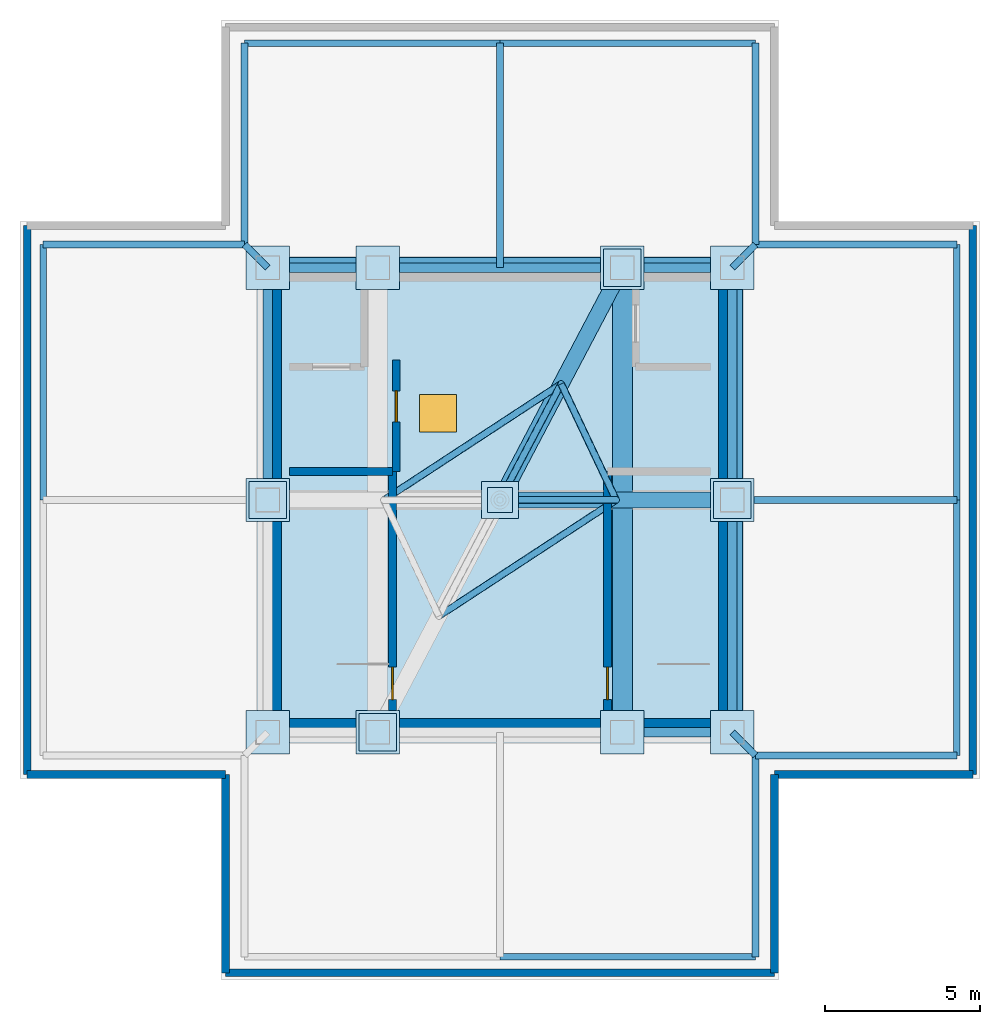
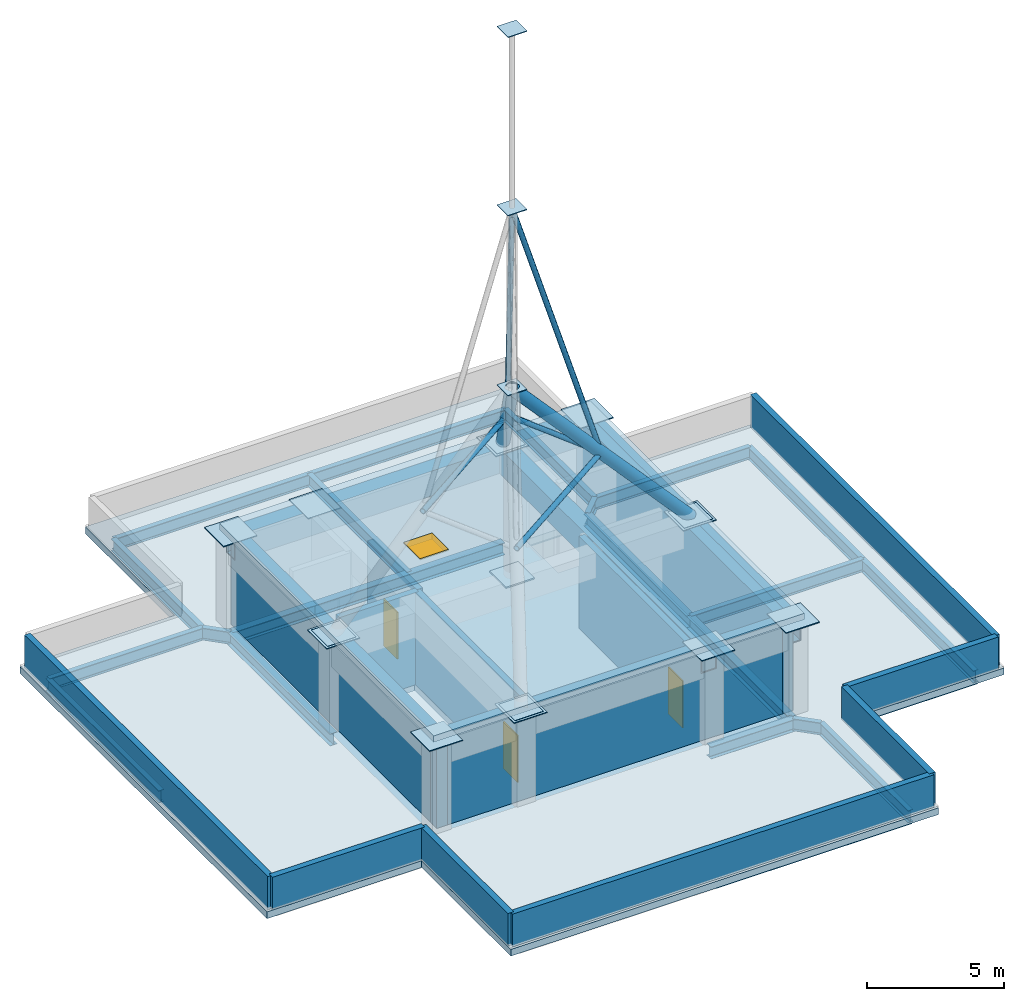
# One storey, part 3 of 5: 27 beams, 18 plates, 14 walls, 7 members, 3 doors, 2 slabs, 1 window, 4 openings.
"""IFC4 building model written with IfcOpenShell, lengths in metres."""

from ifc_helpers import new_model, si_unit, direction, frame, frame_2d, origin, origin_2d, place, context, subcontext, project, spatial, polyline, rectangle, hollow_rectangle, hollow_circle, i_section, outline, extrude, material, layer, layer_set, material_profile, profile_set, type_object, element, fill, save


model = new_model("IFC4")

# Units and contexts
model_context = context("Model", 3, precision=1e-05, world=origin(), true_north=direction((0.0, 1.0)))
body_context = subcontext(model_context, "Body", "Model", "MODEL_VIEW")
ifc_project = project(units=[si_unit("LENGTHUNIT", "METRE"), si_unit("AREAUNIT", "SQUARE_METRE"), si_unit("VOLUMEUNIT", "CUBIC_METRE"), si_unit("PLANEANGLEUNIT", "RADIAN"), si_unit("MASSUNIT", "GRAM", prefix="KILO")], contexts=[model_context])

# Site, building, storey
site_placement = place(None, origin())
site = spatial("IfcSite", under=ifc_project, at=site_placement, CompositionType="ELEMENT")
building_placement = place(site_placement, origin())
building = spatial("IfcBuilding", under=site, at=building_placement, Name="Trevonay Congress Spire", CompositionType="ELEMENT")
storey_placement = place(building_placement, frame((0.0, 0.0, 323.60009765625)))
storey = spatial("IfcBuildingStorey", under=building, at=storey_placement, Name="RF", CompositionType="ELEMENT", Elevation=323.60009765625)

# Beams
ifc_material_1 = material(Name="Steel ASTM A572 Grade 50", Category="steel")
ifc_material_profile_1 = material_profile(ifc_material_1, i_section(OverallWidth=0.2119140625, OverallDepth=0.5439453125, WebThickness=0.01318359375, FlangeThickness=0.021240234375, FilletRadius=0.014892578125, at=origin_2d()), Name="W530x123")
ifc_profile_set_1 = profile_set([ifc_material_profile_1], Name="Steel ASTM A572 Grade 50")
beam_type_1 = type_object("IfcBeamType", Name="BM-GIRD-W530X123", PredefinedType="BEAM", material=ifc_profile_set_1)
for number, where, z_axis, x_axis, name in (
    (1, (7.5, -7.5, -0.572021484375), (0.707106781187, -0.707106781187, 0.0), (0.707106781187, 0.707106781187, 0.0), "RF structural beam BM-RF-DSE"),
    (2, (7.5, 7.5, -0.572021484375), (0.707106781187, 0.707106781187, 0.0), (-0.707106781187, 0.707106781187, 0.0), "RF structural beam BM-RF-DNE"),
    (3, (-7.5, 7.5, -0.572021484375), (-0.707106781187, 0.707106781187, 0.0), (-0.707106781187, -0.707106781187, 0.0), "RF structural beam BM-RF-DNW"),
):
    element("IfcBeam", number, at=place(storey_placement, frame(where, z_axis=z_axis, x_axis=x_axis)), inside=storey, type_object=beam_type_1, Name=name, PredefinedType="BEAM", context=body_context, shape_type="SweptSolid", body=[
        extrude(i_section(OverallWidth=0.2119140625, OverallDepth=0.5439453125, WebThickness=0.01318359375, FlangeThickness=0.021240234375, FilletRadius=0.014892578125, at=origin_2d()), origin(), (0.0, 0.0, 1.0), 1.060546875),
    ])
for number, where, z_axis, x_axis, name in (
    (4, (0.0, 7.5, -0.572021484375), (0.0, 1.0, 0.0), (-1.0, 0.0, 0.0), "RF structural beam BM-RF-RC-N"),
    (5, (7.5, 0.0, -0.572021484375), (1.0, 0.0, 0.0), (0.0, 1.0, 0.0), "RF structural beam BM-RF-RC-E"),
):
    element("IfcBeam", number, at=place(storey_placement, frame(where, z_axis=z_axis, x_axis=x_axis)), inside=storey, type_object=beam_type_1, Name=name, PredefinedType="BEAM", context=body_context, shape_type="SweptSolid", body=[
        extrude(i_section(OverallWidth=0.2119140625, OverallDepth=0.5439453125, WebThickness=0.01318359375, FlangeThickness=0.021240234375, FilletRadius=0.014892578125, at=origin_2d()), origin(), (0.0, 0.0, 1.0), 7.25),
    ])
ifc_material_profile_2 = material_profile(ifc_material_1, i_section(OverallWidth=0.31201171875, OverallDepth=0.54296875, WebThickness=0.0126953125, FlangeThickness=0.020263671875, FilletRadius=0.014892578125, at=origin_2d()), Name="W530x150")
ifc_profile_set_2 = profile_set([ifc_material_profile_2], Name="Steel ASTM A572 Grade 50")
beam_type_2 = type_object("IfcBeamType", Name="BM-GIRD-W530X150", PredefinedType="BEAM", material=ifc_profile_set_2)
for number, where, z_axis, x_axis, name in (
    (6, (3.949951171875, -7.5, -0.571533203125), (1.0, 0.0, 0.0), (0.0, 1.0, 0.0), "RF structural beam BM-RF-CR-S3"),
    (7, (-7.5, 7.5, -0.571533203125), (1.0, 0.0, 0.0), (0.0, 1.0, 0.0), "RF structural beam BM-RF-CR-N1"),
):
    element("IfcBeam", number, at=place(storey_placement, frame(where, z_axis=z_axis, x_axis=x_axis)), inside=storey, type_object=beam_type_2, Name=name, PredefinedType="BEAM", context=body_context, shape_type="SweptSolid", body=[
        extrude(i_section(OverallWidth=0.31201171875, OverallDepth=0.54296875, WebThickness=0.0126953125, FlangeThickness=0.020263671875, FilletRadius=0.014892578125, at=origin_2d()), origin(), (0.0, 0.0, 1.0), 3.550048828125),
    ])
beam_1_placement = place(storey_placement, frame((-3.949951171875, 7.5, -0.571533203125), z_axis=(1.0, 0.0, 0.0), x_axis=(0.0, 1.0, 0.0)))
element("IfcBeam", 8, at=beam_1_placement, inside=storey, type_object=beam_type_2, Name="RF structural beam BM-RF-CR-N2", PredefinedType="BEAM", context=body_context, shape_type="SweptSolid", body=[
    extrude(i_section(OverallWidth=0.31201171875, OverallDepth=0.54296875, WebThickness=0.0126953125, FlangeThickness=0.020263671875, FilletRadius=0.014892578125, at=origin_2d()), origin(), (0.0, 0.0, 1.0), 7.89990234375),
])
beam_2_placement = place(storey_placement, frame((3.949951171875, 7.5, -0.571533203125), z_axis=(1.0, 0.0, 0.0), x_axis=(0.0, 1.0, 0.0)))
element("IfcBeam", 9, at=beam_2_placement, inside=storey, type_object=beam_type_2, Name="RF structural beam BM-RF-CR-N3", PredefinedType="BEAM", context=body_context, shape_type="SweptSolid", body=[
    extrude(i_section(OverallWidth=0.31201171875, OverallDepth=0.54296875, WebThickness=0.0126953125, FlangeThickness=0.020263671875, FilletRadius=0.014892578125, at=origin_2d()), origin(), (0.0, 0.0, 1.0), 3.550048828125),
])
for number, where, z_axis, x_axis, name in (
    (10, (-7.5, 0.0, -0.571533203125), (0.0, 1.0, 0.0), (-1.0, 0.0, 0.0), "RF structural beam BM-RF-CR-W2"),
    (11, (7.5, -7.5, -0.571533203125), (0.0, 1.0, 0.0), (-1.0, 0.0, 0.0), "RF structural beam BM-RF-CR-E1"),
    (12, (7.5, 0.0, -0.571533203125), (0.0, 1.0, 0.0), (-1.0, 0.0, 0.0), "RF structural beam BM-RF-CR-E2"),
):
    element("IfcBeam", number, at=place(storey_placement, frame(where, z_axis=z_axis, x_axis=x_axis)), inside=storey, type_object=beam_type_2, Name=name, PredefinedType="BEAM", context=body_context, shape_type="SweptSolid", body=[
        extrude(i_section(OverallWidth=0.31201171875, OverallDepth=0.54296875, WebThickness=0.0126953125, FlangeThickness=0.020263671875, FilletRadius=0.014892578125, at=origin_2d()), origin(), (0.0, 0.0, 1.0), 7.5),
    ])
ifc_material_profile_3 = material_profile(ifc_material_1, i_section(OverallWidth=0.2119140625, OverallDepth=0.5439453125, WebThickness=0.01318359375, FlangeThickness=0.021240234375, FilletRadius=0.014892578125, at=origin_2d()), Name="W530x123")
ifc_profile_set_3 = profile_set([ifc_material_profile_3], Name="Steel ASTM A572 Grade 50")
beam_type_3 = type_object("IfcBeamType", Name="BM-RING-W530X123", PredefinedType="BEAM", material=ifc_profile_set_3)
for number, where, z_axis, x_axis, name in (
    (13, (-8.25, 14.75, -0.572021484375), (1.0, 0.0, 0.0), (0.0, 1.0, 0.0), "RF structural beam BM-RF-RN0"),
    (14, (14.75, -8.25, -0.572021484375), (0.0, 1.0, 0.0), (-1.0, 0.0, 0.0), "RF structural beam BM-RF-RE0"),
    (15, (0.0, -14.75, -0.572021484375), (1.0, 0.0, 0.0), (0.0, 1.0, 0.0), "RF structural beam BM-RF-RS1"),
    (16, (0.0, 14.75, -0.572021484375), (1.0, 0.0, 0.0), (0.0, 1.0, 0.0), "RF structural beam BM-RF-RN1"),
    (17, (-14.75, 0.0, -0.572021484375), (0.0, 1.0, 0.0), (-1.0, 0.0, 0.0), "RF structural beam BM-RF-RW1"),
    (18, (14.75, 0.0, -0.572021484375), (0.0, 1.0, 0.0), (-1.0, 0.0, 0.0), "RF structural beam BM-RF-RE1"),
):
    element("IfcBeam", number, at=place(storey_placement, frame(where, z_axis=z_axis, x_axis=x_axis)), inside=storey, type_object=beam_type_3, Name=name, PredefinedType="BEAM", context=body_context, shape_type="SweptSolid", body=[
        extrude(i_section(OverallWidth=0.2119140625, OverallDepth=0.5439453125, WebThickness=0.01318359375, FlangeThickness=0.021240234375, FilletRadius=0.014892578125, at=origin_2d()), origin(), (0.0, 0.0, 1.0), 8.25),
    ])
for number, where, z_axis, x_axis, name in (
    (19, (8.25, -14.75, -0.572021484375), (0.0, 1.0, 0.0), (-1.0, 0.0, 0.0), "RF structural beam BM-RF-N1SE"),
    (20, (14.75, -8.25, -0.572021484375), (-1.0, 0.0, 0.0), (0.0, -1.0, 0.0), "RF structural beam BM-RF-N2SE"),
    (21, (8.25, 14.75, -0.572021484375), (0.0, -1.0, 0.0), (1.0, 0.0, 0.0), "RF structural beam BM-RF-N1NE"),
    (22, (14.75, 8.25, -0.572021484375), (-1.0, 0.0, 0.0), (0.0, -1.0, 0.0), "RF structural beam BM-RF-N2NE"),
    (23, (-8.25, 14.75, -0.572021484375), (0.0, -1.0, 0.0), (1.0, 0.0, 0.0), "RF structural beam BM-RF-N1NW"),
    (24, (-14.75, 8.25, -0.572021484375), (1.0, 0.0, 0.0), (0.0, 1.0, 0.0), "RF structural beam BM-RF-N2NW"),
):
    element("IfcBeam", number, at=place(storey_placement, frame(where, z_axis=z_axis, x_axis=x_axis)), inside=storey, type_object=beam_type_3, Name=name, PredefinedType="BEAM", context=body_context, shape_type="SweptSolid", body=[
        extrude(i_section(OverallWidth=0.2119140625, OverallDepth=0.5439453125, WebThickness=0.01318359375, FlangeThickness=0.021240234375, FilletRadius=0.014892578125, at=origin_2d()), origin(), (0.0, 0.0, 1.0), 6.5),
    ])
ifc_material_profile_4 = material_profile(ifc_material_1, hollow_rectangle(XDim=0.64990234375, YDim=1.10009765625, WallThickness=0.044921875, at=origin_2d()), Name="BOX 1100x650x45")
ifc_profile_set_4 = profile_set([ifc_material_profile_4], Name="Steel ASTM A572 Grade 50")
beam_type_4 = type_object("IfcBeamType", Name="BM-XFER-BOX1100", PredefinedType="BEAM", material=ifc_profile_set_4)
for number, where, z_axis, x_axis, name in (
    (25, (-7.5, 7.5, 3.5498046875), (1.0, 0.0, 0.0), (0.0, 1.0, 0.0), "RF structural beam BM-RFP-N"),
    (26, (7.5, -7.5, 3.5498046875), (0.0, 1.0, 0.0), (-1.0, 0.0, 0.0), "RF structural beam BM-RFP-E"),
    (27, (3.949951171875, -7.5, 3.5498046875), (0.0, 1.0, 0.0), (-1.0, 0.0, 0.0), "RF structural beam BM-RFP-Y2"),
):
    element("IfcBeam", number, at=place(storey_placement, frame(where, z_axis=z_axis, x_axis=x_axis)), inside=storey, type_object=beam_type_4, Name=name, PredefinedType="BEAM", context=body_context, shape_type="SweptSolid", body=[
        extrude(hollow_rectangle(XDim=0.64990234375, YDim=1.10009765625, WallThickness=0.044921875, at=origin_2d()), origin(), (0.0, 0.0, 1.0), 15.0),
    ])

# Members
ifc_material_profile_5 = material_profile(ifc_material_1, hollow_circle(Radius=0.25390625, WallThickness=0.02490234375, at=origin_2d()), Name="CHS 508x25")
ifc_profile_set_5 = profile_set([ifc_material_profile_5], Name="Steel ASTM A572 Grade 50")
member_type_1 = type_object("IfcMemberType", Name="MBR-SPIRE-LEG508", PredefinedType="USERDEFINED", material=ifc_profile_set_5)
member_1_placement = place(storey_placement, frame((7.5, 0.0, 4.099853515625), z_axis=(-0.670442877817, 0.0, 0.741961149646), x_axis=(0.0, -1.0, 0.0)))
element("IfcMember", 28, at=member_1_placement, inside=storey, type_object=member_type_1, Name="Structural steel needle spire raking leg SL2", ObjectType="SPIRE", PredefinedType="USERDEFINED", context=body_context, shape_type="SweptSolid", body=[
    extrude(hollow_circle(Radius=0.25390625, WallThickness=0.02490234375, at=origin_2d()), origin(), (0.0, 0.0, 1.0), 11.1865234375),
])
member_2_placement = place(storey_placement, frame((3.949951171875, 7.5, 4.099853515625), z_axis=(-0.332949556752, -0.632190517549, 0.699628288578), x_axis=(0.884792611682, -0.465985015117, 0.0)))
element("IfcMember", 29, at=member_2_placement, inside=storey, type_object=member_type_1, Name="Structural steel needle spire raking leg SL3", ObjectType="SPIRE", PredefinedType="USERDEFINED", context=body_context, shape_type="SweptSolid", body=[
    extrude(hollow_circle(Radius=0.25390625, WallThickness=0.02490234375, at=origin_2d()), origin(), (0.0, 0.0, 1.0), 11.863525390625),
])
ifc_material_2 = material(Name="Steel ASTM A500 Grade C", Category="steel")
ifc_material_profile_6 = material_profile(ifc_material_2, hollow_circle(Radius=0.109619140625, WallThickness=0.012451171875, at=origin_2d()), Name="CHS 219.1x12.5")
ifc_profile_set_6 = profile_set([ifc_material_profile_6], Name="Steel ASTM A500 Grade C")
member_type_2 = type_object("IfcMemberType", Name="MBR-SPIRE-TIP219", PredefinedType="USERDEFINED", material=ifc_profile_set_6)
member_3_placement = place(storey_placement, frame((-1.97509765625, -3.75, 8.25), z_axis=(0.836523150674, 0.547931581849, 0.0), x_axis=(-0.547931581849, 0.836523150674, 0.0)))
element("IfcMember", 30, at=member_3_placement, inside=storey, type_object=member_type_2, Name="Needle spire horizontal collar strut 1", ObjectType="SPIRE", PredefinedType="USERDEFINED", context=body_context, shape_type="SweptSolid", body=[
    extrude(hollow_circle(Radius=0.109619140625, WallThickness=0.012451171875, at=origin_2d()), origin(), (0.0, 0.0, 1.0), 6.843994140625),
])
member_4_placement = place(storey_placement, frame((3.75, 0.0, 8.25), z_axis=(-0.427808072265, 0.903869599724, 0.0), x_axis=(-0.903869599724, -0.427808072265, 0.0)))
element("IfcMember", 31, at=member_4_placement, inside=storey, type_object=member_type_2, Name="Needle spire horizontal collar strut 2", ObjectType="SPIRE", PredefinedType="USERDEFINED", context=body_context, shape_type="SweptSolid", body=[
    extrude(hollow_circle(Radius=0.109619140625, WallThickness=0.012451171875, at=origin_2d()), origin(), (0.0, 0.0, 1.0), 4.14892578125),
])
member_5_placement = place(storey_placement, frame((3.75, 0.0, 8.25), z_axis=(-0.294916851865, 0.0, 0.955522919917), x_axis=(0.0, -1.0, 0.0)))
element("IfcMember", 32, at=member_5_placement, inside=storey, type_object=member_type_2, Name="Needle spire upper stay strut 2", ObjectType="SPIRE", PredefinedType="USERDEFINED", context=body_context, shape_type="SweptSolid", body=[
    extrude(hollow_circle(Radius=0.109619140625, WallThickness=0.012451171875, at=origin_2d()), origin(), (0.0, 0.0, 1.0), 12.71533203125),
])
member_6_placement = place(storey_placement, frame((1.97509765625, 3.75, 8.25), z_axis=(-0.836523150674, -0.547931581849, 0.0), x_axis=(0.547931581849, -0.836523150674, 0.0)))
element("IfcMember", 33, at=member_6_placement, inside=storey, type_object=member_type_2, Name="Needle spire horizontal collar strut 3", ObjectType="SPIRE", PredefinedType="USERDEFINED", context=body_context, shape_type="SweptSolid", body=[
    extrude(hollow_circle(Radius=0.109619140625, WallThickness=0.012451171875, at=origin_2d()), origin(), (0.0, 0.0, 1.0), 6.843994140625),
])
member_7_placement = place(storey_placement, frame((1.97509765625, 3.75, 8.25), z_axis=(-0.153489921489, -0.29142215007, 0.944200177108), x_axis=(0.884780736551, -0.466007562415, 0.0)))
element("IfcMember", 34, at=member_7_placement, inside=storey, type_object=member_type_2, Name="Needle spire upper stay strut 3", ObjectType="SPIRE", PredefinedType="USERDEFINED", context=body_context, shape_type="SweptSolid", body=[
    extrude(hollow_circle(Radius=0.109619140625, WallThickness=0.012451171875, at=origin_2d()), origin(), (0.0, 0.0, 1.0), 12.867919921875),
])

# Plates
ifc_layer_1 = layer(ifc_material_1, 0.030029296875, Name="Steel ASTM A572 Grade 50")
ifc_layer_set_1 = layer_set([ifc_layer_1], Name="Steel ASTM A572 Grade 50")
plate_type_1 = type_object("IfcPlateType", Name="PLT-ENDCAP-EXT-80", PredefinedType="USERDEFINED", material=ifc_layer_set_1)
for number, where, z_axis, x_axis, name in (
    (35, (0.0, 0.0, 12.43505859375), (0.0, 0.0, 1.0), (1.0, 0.0, 0.0), "Needle spire leg convergence hub cap plate"),
    (36, (0.0, 0.0, 20.43505859375), (0.0, 0.0, 1.0), (1.0, 0.0, 0.0), "Needle spire middle mast transition cap plate"),
    (37, (0.0, 0.0, 28.3701171875), (0.0, 0.0, 1.0), (1.0, 0.0, 0.0), "Needle spire pinnacle lightning-finial cap plate"),
):
    element("IfcPlate", number, at=place(storey_placement, frame(where, z_axis=z_axis, x_axis=x_axis)), inside=storey, type_object=plate_type_1, Name=name, ObjectType="CAP_PLATE", PredefinedType="USERDEFINED", context=body_context, shape_type="SweptSolid", body=[
        extrude(rectangle(XDim=0.800048828125, YDim=0.800048828125, at=origin_2d()), origin(), (0.0, 0.0, 1.0), 0.030029296875),
    ])
ifc_layer_2 = layer(ifc_material_1, 0.0400390625, Name="Steel ASTM A572 Grade 50")
ifc_layer_set_2 = layer_set([ifc_layer_2], Name="Steel ASTM A572 Grade 50")
plate_type_2 = type_object("IfcPlateType", Name="PLT-ENDCAP-INT-140", PredefinedType="USERDEFINED", material=ifc_layer_set_2)
for number, where, z_axis, x_axis, name in (
    (38, (-7.5, -7.5, 4.079833984375), (0.0, 0.0, 1.0), (1.0, 0.0, 0.0), "RF hollow column end-cap plate at CC-SW"),
    (39, (-3.949951171875, -7.5, 4.079833984375), (0.0, 0.0, 1.0), (1.0, 0.0, 0.0), "RF hollow column end-cap plate at CC-SMW"),
    (40, (3.949951171875, -7.5, 4.079833984375), (0.0, 0.0, 1.0), (1.0, 0.0, 0.0), "RF hollow column end-cap plate at CC-SME"),
    (41, (7.5, -7.5, 4.079833984375), (0.0, 0.0, 1.0), (1.0, 0.0, 0.0), "RF hollow column end-cap plate at CC-SE"),
    (42, (7.5, 0.0, 4.079833984375), (0.0, 0.0, 1.0), (1.0, 0.0, 0.0), "RF hollow column end-cap plate at CC-E"),
    (43, (7.5, 7.5, 4.079833984375), (0.0, 0.0, 1.0), (1.0, 0.0, 0.0), "RF hollow column end-cap plate at CC-NE"),
    (44, (3.949951171875, 7.5, 4.079833984375), (0.0, 0.0, 1.0), (1.0, 0.0, 0.0), "RF hollow column end-cap plate at CC-NME"),
    (45, (-3.949951171875, 7.5, 4.079833984375), (0.0, 0.0, 1.0), (1.0, 0.0, 0.0), "RF hollow column end-cap plate at CC-NMW"),
    (46, (-7.5, 7.5, 4.079833984375), (0.0, 0.0, 1.0), (1.0, 0.0, 0.0), "RF hollow column end-cap plate at CC-NW"),
    (47, (-7.5, 0.0, 4.079833984375), (0.0, 0.0, 1.0), (1.0, 0.0, 0.0), "RF hollow column end-cap plate at CC-W"),
):
    element("IfcPlate", number, at=place(storey_placement, frame(where, z_axis=z_axis, x_axis=x_axis)), inside=storey, type_object=plate_type_2, Name=name, ObjectType="CAP_PLATE", PredefinedType="USERDEFINED", context=body_context, shape_type="SweptSolid", body=[
        extrude(rectangle(XDim=1.39990234375, YDim=1.39990234375, at=origin_2d()), origin(), (0.0, 0.0, 1.0), 0.0400390625),
    ])
ifc_layer_3 = layer(ifc_material_1, 0.06005859375, Name="Steel ASTM A572 Grade 50")
ifc_layer_set_3 = layer_set([ifc_layer_3], Name="Steel ASTM A572 Grade 50")
plate_type_3 = type_object("IfcPlateType", Name="PLT-SPIRE-BASE", PredefinedType="USERDEFINED", material=ifc_layer_set_3)
for number, where, z_axis, x_axis, name in (
    (48, (-3.949951171875, -7.5, 4.06982421875), (0.0, 0.0, 1.0), (1.0, 0.0, 0.0), "Needle spire leg SL1 base plate SN-01 bearing on core column C05 (CC-SMW)"),
    (49, (7.5, 0.0, 4.06982421875), (0.0, 0.0, 1.0), (1.0, 0.0, 0.0), "Needle spire leg SL2 base plate SN-01 bearing on core column C05 (CC-E)"),
    (50, (3.949951171875, 7.5, 4.06982421875), (0.0, 0.0, 1.0), (1.0, 0.0, 0.0), "Needle spire leg SL3 base plate SN-01 bearing on core column C05 (CC-NME)"),
    (51, (-7.5, 0.0, 4.06982421875), (0.0, 0.0, 1.0), (1.0, 0.0, 0.0), "Needle spire leg SL4 base plate SN-01 bearing on core column C05 (CC-W)"),
    (52, (0.0, 0.0, 4.06982421875), (0.0, 0.0, 1.0), (1.0, 0.0, 0.0), "Needle spire central mast base plate SN-01"),
):
    element("IfcPlate", number, at=place(storey_placement, frame(where, z_axis=z_axis, x_axis=x_axis)), inside=storey, type_object=plate_type_3, Name=name, ObjectType="CAP_PLATE", PredefinedType="USERDEFINED", context=body_context, shape_type="SweptSolid", body=[
        extrude(rectangle(XDim=1.199951171875, YDim=1.199951171875, at=origin_2d()), origin(), (0.0, 0.0, 1.0), 0.06005859375),
    ])

# Slab, opening, window
ifc_material_3 = material(Name="Concrete C40/50", Category="concrete")
ifc_layer_4 = layer(ifc_material_3, 0.280029296875, Name="Concrete C40/50")
ifc_layer_set_4 = layer_set([ifc_layer_4], Name="Concrete C40/50")
slab_type_1 = type_object("IfcSlabType", Name="SLB-CROWN-280", PredefinedType="FLOOR", material=ifc_layer_set_4)
slab_1_placement = place(storey_placement, frame((0.0, 0.0, 4.119873046875)))
slab_1 = element("IfcSlab", 53, at=slab_1_placement, inside=storey, type_object=slab_type_1, Name="RF spire mechanical overrun deck slab", PredefinedType="FLOOR", context=body_context, shape_type="SweptSolid", body=[
    extrude(outline(polyline([(-7.800048828125, -7.800048828125), (7.800048828125, -7.800048828125), (7.800048828125, 7.800048828125), (-7.800048828125, 7.800048828125), (-7.800048828125, -7.800048828125)])), origin(), (0.0, 0.0, 1.0), 0.280029296875),
])
opening_1_placement = place(slab_1_placement, frame((-2.0, 2.800048828125, -0.010009765625)))
opening_1 = element("IfcOpeningElement", 54, at=opening_1_placement, cuts=slab_1, Name="Opening SK02", PredefinedType="OPENING", context=body_context, shape_type="SweptSolid", body=[
    extrude(rectangle(XDim=1.199951171875, YDim=1.199951171875, at=origin_2d()), origin(), (0.0, 0.0, 1.0), 0.300048828125),
])
ifc_material_4 = material(Name="Insulated Low-E Vision Glass IGU", Category="glass")
window_type = type_object("IfcWindowType", Name="SKY-ROOF-HATCH-120", PartitioningType="SINGLE_PANEL", PredefinedType="SKYLIGHT", material=ifc_material_4)
window_placement = place(opening_1_placement, frame((0.0, 0.0, 0.239990234375)))
window = element("IfcWindow", 55, at=window_placement, inside=storey, type_object=window_type, Name="RF spire maintenance roof access hatch", OverallHeight=1.199951171875, OverallWidth=1.199951171875, PartitioningType="SINGLE_PANEL", PredefinedType="SKYLIGHT", context=body_context, shape_type="SweptSolid", body=[
    extrude(rectangle(XDim=1.199951171875, YDim=1.199951171875, at=origin_2d()), origin(), (0.0, 0.0, 1.0), 0.050048828125),
])
fill(opening_1, window)

# Slab
ifc_layer_5 = layer(ifc_material_3, 0.300048828125, Name="Concrete C40/50")
ifc_layer_set_5 = layer_set([ifc_layer_5], Name="Concrete C40/50")
slab_type_2 = type_object("IfcSlabType", Name="SLB-ROOFCAP-300", PredefinedType="ROOF", material=ifc_layer_set_5)
slab_2_placement = place(storey_placement, frame((0.0, 0.0, -0.300048828125)))
element("IfcSlab", 56, at=slab_2_placement, inside=storey, type_object=slab_type_2, Name="RF structural crown roof deck slab", PredefinedType="ROOF", context=body_context, shape_type="SweptSolid", body=[
    extrude(outline(polyline([(-9.0, -15.5), (9.0, -15.5), (9.0, -9.0), (15.5, -9.0), (15.5, 9.0), (9.0, 9.0), (9.0, 15.5), (-9.0, 15.5), (-9.0, 9.0), (-15.5, 9.0), (-15.5, -9.0), (-9.0, -9.0), (-9.0, -15.5)]), holes=[polyline([(-3.60009765625, -5.14990234375), (-3.60009765625, 0.85009765625), (-6.75, 0.85009765625), (-6.75, -5.14990234375), (-3.60009765625, -5.14990234375)]), polyline([(6.75, -5.14990234375), (6.75, 0.85009765625), (3.60009765625, 0.85009765625), (3.60009765625, -5.14990234375), (6.75, -5.14990234375)]), polyline([(-6.75, 4.35009765625), (-4.449951171875, 4.35009765625), (-4.449951171875, 6.75), (-6.75, 6.75), (-6.75, 4.35009765625)]), polyline([(4.449951171875, 4.35009765625), (6.75, 4.35009765625), (6.75, 6.75), (4.449951171875, 6.75), (4.449951171875, 4.35009765625)])]), origin(), (0.0, 0.0, 1.0), 0.300048828125),
])

# Walls
ifc_material_5 = material(Name="Precast concrete C40/50", Category="concrete")
ifc_layer_6 = layer(ifc_material_5, 0.25, Name="Precast concrete C40/50")
ifc_layer_set_6 = layer_set([ifc_layer_6], Name="Precast concrete C40/50")
wall_type_1 = type_object("IfcWallType", Name="WAL-PARAPET-250", PredefinedType="PARAPET", material=ifc_layer_set_6)
wall_1_placement = place(storey_placement, frame((-8.864990234375, -15.26806640625, 0.0), z_axis=(0.0, 0.0, 1.0), x_axis=(1.0, 0.0, 0.0)))
element("IfcWall", 57, at=wall_1_placement, inside=storey, type_object=wall_type_1, Name="RF crown perimeter parapet wall 1", PredefinedType="PARAPET", context=body_context, shape_type="SweptSolid", body=[
    extrude(rectangle(XDim=17.72998046875, YDim=0.25, at=frame_2d((8.864990234375, 0.0))), origin(), (0.0, 0.0, 1.0), 1.449951171875),
])
for number, where, z_axis, x_axis, name in (
    (58, (8.864990234375, -15.26806640625, 0.0), (0.0, 0.0, 1.0), (0.0, 1.0, 0.0), "RF crown perimeter parapet wall 2"),
    (59, (8.864990234375, -8.864990234375, 0.0), (0.0, 0.0, 1.0), (1.0, 0.0, 0.0), "RF crown perimeter parapet wall 3"),
):
    element("IfcWall", number, at=place(storey_placement, frame(where, z_axis=z_axis, x_axis=x_axis)), inside=storey, type_object=wall_type_1, Name=name, PredefinedType="PARAPET", context=body_context, shape_type="SweptSolid", body=[
        extrude(rectangle(XDim=6.403076171875, YDim=0.25, at=frame_2d((3.20166015625, 0.0))), origin(), (0.0, 0.0, 1.0), 1.449951171875),
    ])
for number, where, z_axis, x_axis, name in (
    (60, (15.26806640625, -8.864990234375, 0.0), (0.0, 0.0, 1.0), (0.0, 1.0, 0.0), "RF crown perimeter parapet wall 4"),
    (61, (-15.26806640625, 8.864990234375, 0.0), (0.0, 0.0, 1.0), (0.0, -1.0, 0.0), "RF crown perimeter parapet wall 10"),
):
    element("IfcWall", number, at=place(storey_placement, frame(where, z_axis=z_axis, x_axis=x_axis)), inside=storey, type_object=wall_type_1, Name=name, PredefinedType="PARAPET", context=body_context, shape_type="SweptSolid", body=[
        extrude(rectangle(XDim=17.72998046875, YDim=0.25, at=frame_2d((8.864990234375, 0.0))), origin(), (0.0, 0.0, 1.0), 1.449951171875),
    ])
for number, where, z_axis, x_axis, name in (
    (62, (-15.26806640625, -8.864990234375, 0.0), (0.0, 0.0, 1.0), (1.0, 0.0, 0.0), "RF crown perimeter parapet wall 11"),
    (63, (-8.864990234375, -8.864990234375, 0.0), (0.0, 0.0, 1.0), (0.0, -1.0, 0.0), "RF crown perimeter parapet wall 12"),
):
    element("IfcWall", number, at=place(storey_placement, frame(where, z_axis=z_axis, x_axis=x_axis)), inside=storey, type_object=wall_type_1, Name=name, PredefinedType="PARAPET", context=body_context, shape_type="SweptSolid", body=[
        extrude(rectangle(XDim=6.403076171875, YDim=0.25, at=frame_2d((3.20166015625, 0.0))), origin(), (0.0, 0.0, 1.0), 1.449951171875),
    ])
ifc_material_6 = material(Name="Concrete C50/60", Category="concrete")
ifc_layer_7 = layer(ifc_material_6, 0.449951171875, Name="Concrete C50/60")
ifc_layer_set_7 = layer_set([ifc_layer_7], Name="Concrete C50/60")
wall_type_2 = type_object("IfcWallType", Name="WAL-PENT-450", PredefinedType="SHEAR", material=ifc_layer_set_7)
for number, where, z_axis, x_axis, name in (
    (64, (-7.5, -7.27490234375, 0.0), (0.0, 0.0, 1.0), (1.0, 0.0, 0.0), "RF South structural core shear wall"),
    (65, (-7.27490234375, -7.5, 0.0), (0.0, 0.0, 1.0), (0.0, 1.0, 0.0), "RF West structural core shear wall"),
    (66, (7.27490234375, -7.5, 0.0), (0.0, 0.0, 1.0), (0.0, 1.0, 0.0), "RF East structural core shear wall"),
):
    element("IfcWall", number, at=place(storey_placement, frame(where, z_axis=z_axis, x_axis=x_axis)), inside=storey, type_object=wall_type_2, Name=name, PredefinedType="SHEAR", context=body_context, shape_type="SweptSolid", body=[
        extrude(rectangle(XDim=15.0, YDim=0.449951171875, at=frame_2d((7.5, 0.0))), origin(), (0.0, 0.0, 1.0), 4.099853515625),
    ])

# Wall, opening, door
ifc_layer_8 = layer(ifc_material_3, 0.25, Name="Concrete C40/50")
ifc_layer_set_8 = layer_set([ifc_layer_8], Name="Concrete C40/50")
wall_type_3 = type_object("IfcWallType", Name="WAL-SHAFT-250", PredefinedType="SHEAR", material=ifc_layer_set_8)
wall_2_placement = place(storey_placement, frame((-3.35009765625, 0.919921875, 0.0), z_axis=(0.0, 0.0, 1.0), x_axis=(0.0, 1.0, 0.0)))
wall_2 = element("IfcWall", 67, at=wall_2_placement, inside=storey, type_object=wall_type_3, Name="RF Penthouse Firefighting Lobby Wall", PredefinedType="SHEAR", context=body_context, shape_type="SweptSolid", body=[
    extrude(rectangle(XDim=3.60009765625, YDim=0.25, at=frame_2d((1.800048828125, 0.0))), origin(), (0.0, 0.0, 1.0), 4.099853515625),
])
opening_2_placement = place(wall_2_placement, frame((1.60009765625, 0.0, 0.0)))
opening_2 = element("IfcOpeningElement", 68, at=opening_2_placement, cuts=wall_2, Name="Opening D06", PredefinedType="OPENING", context=body_context, shape_type="SweptSolid", body=[
    extrude(rectangle(XDim=1.0, YDim=2.080078125, at=frame_2d((0.5, 1.0400390625))), frame((0.0, 0.135009765625, 0.0), z_axis=(0.0, -1.0, 0.0), x_axis=(1.0, 0.0, 0.0)), (0.0, 0.0, 1.0), 0.27001953125),
])
door_type_1 = type_object("IfcDoorType", Name="DOR-FIRE-100", OperationType="NOTDEFINED", PredefinedType="DOOR", material=ifc_material_1)
door_1_placement = place(opening_2_placement, origin())
door_1 = element("IfcDoor", 69, at=door_1_placement, inside=storey, type_object=door_type_1, Name="RF Mechanical Firefighting Lobby Door", OperationType="SINGLE_SWING_LEFT", OverallHeight=2.080078125, OverallWidth=1.0, PredefinedType="DOOR", context=body_context, shape_type="SweptSolid", body=[
    extrude(rectangle(XDim=1.0, YDim=2.080078125, at=frame_2d((0.5, 1.0400390625))), frame((0.0, 0.02490234375, 0.0), z_axis=(0.0, -1.0, 0.0), x_axis=(1.0, 0.0, 0.0)), (0.0, 0.0, 1.0), 0.050048828125),
])
fill(opening_2, door_1)

ifc_layer_9 = layer(ifc_material_3, 0.25, Name="Concrete C40/50")
ifc_layer_set_9 = layer_set([ifc_layer_9], Name="Concrete C40/50")
wall_type_4 = type_object("IfcWallType", Name="WAL-SHAFT-LB-250", PredefinedType="SHEAR", material=ifc_layer_set_9)
wall_3_placement = place(storey_placement, frame((-3.469970703125, -6.800048828125, 0.0), z_axis=(0.0, 0.0, 1.0), x_axis=(0.0, 1.0, 0.0)))
wall_3 = element("IfcWall", 70, at=wall_3_placement, inside=storey, type_object=wall_type_4, Name="RF interior shaft wall WSH-RF-ST1-E", PredefinedType="SHEAR", context=body_context, shape_type="SweptSolid", body=[
    extrude(rectangle(XDim=7.719970703125, YDim=0.25, at=frame_2d((3.85986328125, 0.0))), origin(), (0.0, 0.0, 1.0), 4.099853515625),
])
opening_3_placement = place(wall_3_placement, frame((0.35009765625, 0.0, 0.0)))
opening_3 = element("IfcOpeningElement", 71, at=opening_3_placement, cuts=wall_3, Name="Opening D05", PredefinedType="OPENING", context=body_context, shape_type="SweptSolid", body=[
    extrude(rectangle(XDim=1.050048828125, YDim=2.080078125, at=frame_2d((0.52490234375, 1.0400390625))), frame((0.0, 0.135009765625, 0.0), z_axis=(0.0, -1.0, 0.0), x_axis=(1.0, 0.0, 0.0)), (0.0, 0.0, 1.0), 0.27001953125),
])
door_type_2 = type_object("IfcDoorType", Name="DOR-STAIR-110", OperationType="NOTDEFINED", PredefinedType="DOOR", material=ifc_material_1)
door_2_placement = place(opening_3_placement, origin())
door_2 = element("IfcDoor", 72, at=door_2_placement, inside=storey, type_object=door_type_2, Name="RF Penthouse Stair ST-1 Exit Door", OperationType="SINGLE_SWING_LEFT", OverallHeight=2.080078125, OverallWidth=1.050048828125, PredefinedType="DOOR", context=body_context, shape_type="SweptSolid", body=[
    extrude(rectangle(XDim=1.050048828125, YDim=2.080078125, at=frame_2d((0.52490234375, 1.0400390625))), frame((0.0, 0.02490234375, 0.0), z_axis=(0.0, -1.0, 0.0), x_axis=(1.0, 0.0, 0.0)), (0.0, 0.0, 1.0), 0.050048828125),
])
fill(opening_3, door_2)

# Wall
wall_4_placement = place(storey_placement, frame((-6.800048828125, 0.919921875, 0.0), z_axis=(0.0, 0.0, 1.0), x_axis=(1.0, 0.0, 0.0)))
element("IfcWall", 73, at=wall_4_placement, inside=storey, type_object=wall_type_4, Name="RF interior shaft wall WSH-RF-ST1-N", PredefinedType="SHEAR", context=body_context, shape_type="SweptSolid", body=[
    extrude(rectangle(XDim=3.330078125, YDim=0.25, at=frame_2d((1.6650390625, 0.0))), origin(), (0.0, 0.0, 1.0), 4.099853515625),
])

# Wall, opening, door
wall_5_placement = place(storey_placement, frame((3.469970703125, -6.800048828125, 0.0), z_axis=(0.0, 0.0, 1.0), x_axis=(0.0, 1.0, 0.0)))
wall_5 = element("IfcWall", 74, at=wall_5_placement, inside=storey, type_object=wall_type_4, Name="RF interior shaft wall WSH-RF-ST2-W", PredefinedType="SHEAR", context=body_context, shape_type="SweptSolid", body=[
    extrude(rectangle(XDim=7.719970703125, YDim=0.25, at=frame_2d((3.85986328125, 0.0))), origin(), (0.0, 0.0, 1.0), 4.099853515625),
])
opening_4_placement = place(wall_5_placement, frame((0.35009765625, 0.0, 0.0)))
opening_4 = element("IfcOpeningElement", 75, at=opening_4_placement, cuts=wall_5, Name="Opening D05", PredefinedType="OPENING", context=body_context, shape_type="SweptSolid", body=[
    extrude(rectangle(XDim=1.050048828125, YDim=2.080078125, at=frame_2d((0.52490234375, 1.0400390625))), frame((0.0, 0.135009765625, 0.0), z_axis=(0.0, -1.0, 0.0), x_axis=(1.0, 0.0, 0.0)), (0.0, 0.0, 1.0), 0.27001953125),
])
door_3_placement = place(opening_4_placement, origin())
door_3 = element("IfcDoor", 76, at=door_3_placement, inside=storey, type_object=door_type_2, Name="RF Penthouse Stair ST-2 Exit Door", OperationType="SINGLE_SWING_RIGHT", OverallHeight=2.080078125, OverallWidth=1.050048828125, PredefinedType="DOOR", context=body_context, shape_type="SweptSolid", body=[
    extrude(rectangle(XDim=1.050048828125, YDim=2.080078125, at=frame_2d((0.52490234375, 1.0400390625))), frame((0.0, 0.02490234375, 0.0), z_axis=(0.0, -1.0, 0.0), x_axis=(1.0, 0.0, 0.0)), (0.0, 0.0, 1.0), 0.050048828125),
])
fill(opening_4, door_3)

save(model, "model.ifc")
